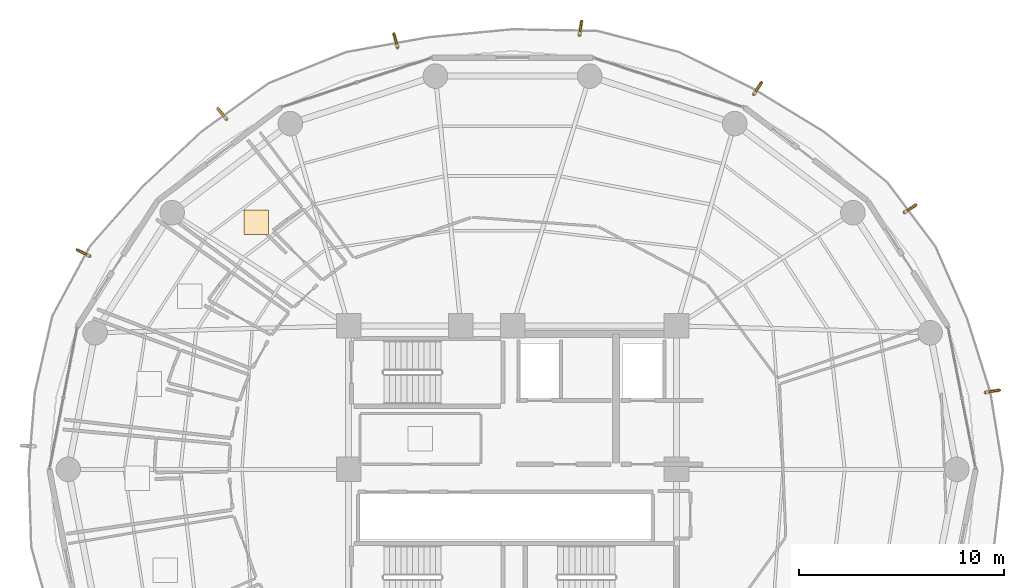
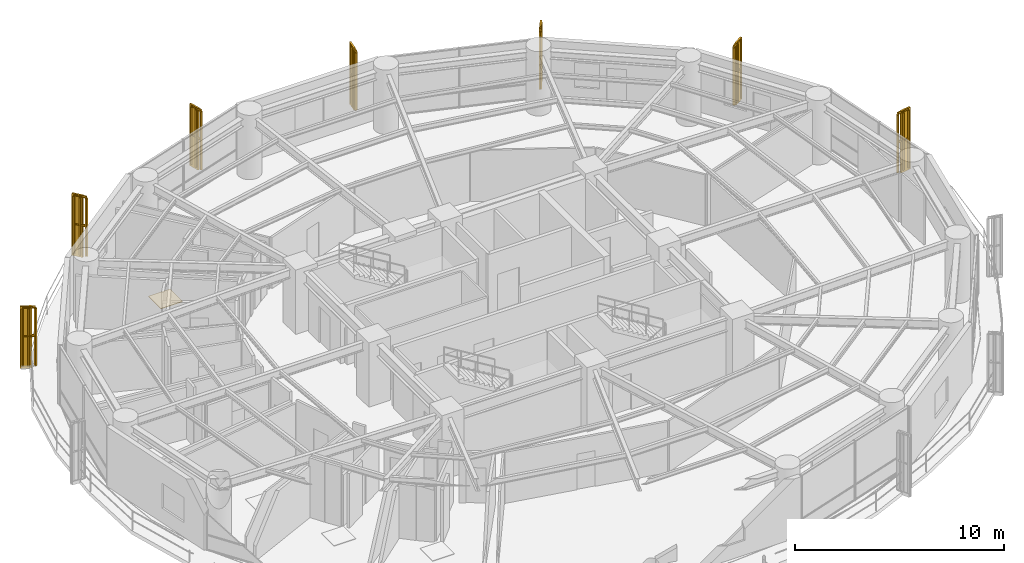
# One storey, part 27 of 27: 7 railings, 7 shading devices, 1 covering.
"""IFC4 building model written with IfcOpenShell, lengths in metres."""

from ifc_helpers import new_model, si_unit, direction, frame, origin, origin_2d, place, context, subcontext, project, spatial, polyline, rectangle, outline, extrude, source, transform, mapped, material, layer, layer_set, type_object, element, save


model = new_model("IFC4")

# Units and contexts
model_context = context("Model", 3, precision=1e-05, world=origin(), true_north=direction((0.0, 1.0)))
body_context = subcontext(model_context, "Body", "Model", "MODEL_VIEW")
ifc_project = project(units=[si_unit("LENGTHUNIT", "METRE"), si_unit("AREAUNIT", "SQUARE_METRE"), si_unit("VOLUMEUNIT", "CUBIC_METRE"), si_unit("PLANEANGLEUNIT", "RADIAN"), si_unit("MASSUNIT", "GRAM", prefix="KILO")], contexts=[model_context])

# Site, building, storey
site_placement = place(None, origin())
site = spatial("IfcSite", under=ifc_project, at=site_placement, CompositionType="ELEMENT")
building_placement = place(site_placement, origin())
building = spatial("IfcBuilding", under=site, at=building_placement, Name="Kelanora Arch Commons", CompositionType="ELEMENT")
storey_placement = place(building_placement, frame((0.0, 0.0, 173.10009765625)))
storey = spatial("IfcBuildingStorey", under=building, at=storey_placement, Name="L44", CompositionType="ELEMENT", Elevation=173.10009765625)

# Railings
ifc_material_1 = material(Name="Anodised bronze vertical shading fin rib assembly")
railing_type = type_object("IfcRailingType", Name="RAIL-FIN-BRZ", PredefinedType="BALUSTRADE", material=ifc_material_1)
railing_1_placement = place(storey_placement, frame((97.078857421875, 61.75537109375, -0.02001953125)))
element("IfcRailing", 1, at=railing_1_placement, inside=storey, type_object=railing_type, Name="Sweeping Bronze Vertical Fin Blade L44-01", PredefinedType="BALUSTRADE", context=body_context, shape_type="SweptSolid", body=[
    extrude(outline(polyline([(0.06982421875, 0.0), (0.034912109375, 0.060546875), (-0.034912109375, 0.060546875), (-0.06982421875, 0.0), (-0.034912109375, -0.060546875), (0.034912109375, -0.060546875), (0.06982421875, 0.0)])), frame((0.0, 0.0, 3.419921875), z_axis=(0.987025857882, 0.160561377274, 0.0), x_axis=(-0.160561377274, 0.987025857882, 0.0)), (0.0, 0.0, 1.0), 0.62939453125),
    extrude(outline(polyline([(0.06982421875, 0.0), (0.034912109375, 0.060546875), (-0.034912109375, 0.060546875), (-0.06982421875, 0.0), (-0.034912109375, -0.060546875), (0.034912109375, -0.060546875), (0.06982421875, 0.0)])), frame((0.0, 0.0, 1.7451171875), z_axis=(0.987025857882, 0.160561377274, 0.0), x_axis=(-0.160561377274, 0.987025857882, 0.0)), (0.0, 0.0, 1.0), 0.62939453125),
    extrude(outline(polyline([(0.080078125, 0.0), (0.0400390625, 0.0693359375), (-0.0400390625, 0.0693359375), (-0.080078125, 0.0), (-0.0400390625, -0.0693359375), (0.0400390625, -0.0693359375), (0.080078125, 0.0)])), origin(), (0.0, 0.0, 1.0), 3.35009765625),
    extrude(outline(polyline([(0.080078125, 0.0), (0.0400390625, 0.0693359375), (-0.0400390625, 0.0693359375), (-0.080078125, 0.0), (-0.0400390625, -0.0693359375), (0.0400390625, -0.0693359375), (0.080078125, 0.0)])), frame((0.310546875, 0.050537109375, 0.0)), (0.0, 0.0, 1.0), 3.35009765625),
    extrude(outline(polyline([(0.080078125, 0.0), (0.0400390625, 0.0693359375), (-0.0400390625, 0.0693359375), (-0.080078125, 0.0), (-0.0400390625, -0.0693359375), (0.0400390625, -0.0693359375), (0.080078125, 0.0)])), frame((0.621337890625, 0.10107421875, 0.0)), (0.0, 0.0, 1.0), 3.35009765625),
])
railing_2_placement = place(storey_placement, frame((93.1142578125, 70.528076171875, -0.02001953125)))
element("IfcRailing", 2, at=railing_2_placement, inside=storey, type_object=railing_type, Name="Sweeping Bronze Vertical Fin Blade L44-02", PredefinedType="BALUSTRADE", context=body_context, shape_type="SweptSolid", body=[
    extrude(outline(polyline([(0.06982421875, 0.0), (0.034912109375, 0.060546875), (-0.034912109375, 0.060546875), (-0.06982421875, 0.0), (-0.034912109375, -0.060546875), (0.034912109375, -0.060546875), (0.06982421875, 0.0)])), frame((0.0, 0.0, 3.419921875), z_axis=(0.836320140777, 0.548241390384, 0.0), x_axis=(-0.548241390384, 0.836320140777, 0.0)), (0.0, 0.0, 1.0), 0.629638671875),
    extrude(outline(polyline([(0.06982421875, 0.0), (0.034912109375, 0.060546875), (-0.034912109375, 0.060546875), (-0.06982421875, 0.0), (-0.034912109375, -0.060546875), (0.034912109375, -0.060546875), (0.06982421875, 0.0)])), frame((0.0, 0.0, 1.7451171875), z_axis=(0.836320140777, 0.548241390384, 0.0), x_axis=(-0.548241390384, 0.836320140777, 0.0)), (0.0, 0.0, 1.0), 0.629638671875),
    extrude(outline(polyline([(0.080078125, 0.0), (0.0400390625, 0.0693359375), (-0.0400390625, 0.0693359375), (-0.080078125, 0.0), (-0.0400390625, -0.0693359375), (0.0400390625, -0.0693359375), (0.080078125, 0.0)])), origin(), (0.0, 0.0, 1.0), 3.35009765625),
    extrude(outline(polyline([(0.080078125, 0.0), (0.0400390625, 0.0693359375), (-0.0400390625, 0.0693359375), (-0.080078125, 0.0), (-0.0400390625, -0.0693359375), (0.0400390625, -0.0693359375), (0.080078125, 0.0)])), frame((0.26318359375, 0.172607421875, 0.0)), (0.0, 0.0, 1.0), 3.35009765625),
    extrude(outline(polyline([(0.080078125, 0.0), (0.0400390625, 0.0693359375), (-0.0400390625, 0.0693359375), (-0.080078125, 0.0), (-0.0400390625, -0.0693359375), (0.0400390625, -0.0693359375), (0.080078125, 0.0)])), frame((0.526611328125, 0.34521484375, 0.0)), (0.0, 0.0, 1.0), 3.35009765625),
])
railing_3_placement = place(storey_placement, frame((85.772705078125, 76.29736328125, -0.02001953125)))
element("IfcRailing", 3, at=railing_3_placement, inside=storey, type_object=railing_type, Name="Sweeping Bronze Vertical Fin Blade L44-03", PredefinedType="BALUSTRADE", context=body_context, shape_type="SweptSolid", body=[
    extrude(outline(polyline([(0.06982421875, 0.0), (0.034912109375, 0.060546875), (-0.034912109375, 0.060546875), (-0.06982421875, 0.0), (-0.034912109375, -0.060546875), (0.034912109375, -0.060546875), (0.06982421875, 0.0)])), frame((0.0, 0.0, 3.419921875), z_axis=(0.541384659361, 0.840775029724, 0.0), x_axis=(-0.840775029724, 0.541384659361, 0.0)), (0.0, 0.0, 1.0), 0.629638671875),
    extrude(outline(polyline([(0.06982421875, 0.0), (0.034912109375, 0.060546875), (-0.034912109375, 0.060546875), (-0.06982421875, 0.0), (-0.034912109375, -0.060546875), (0.034912109375, -0.060546875), (0.06982421875, 0.0)])), frame((0.0, 0.0, 1.7451171875), z_axis=(0.541384659361, 0.840775029724, 0.0), x_axis=(-0.840775029724, 0.541384659361, 0.0)), (0.0, 0.0, 1.0), 0.629638671875),
    extrude(outline(polyline([(0.080078125, 0.0), (0.0400390625, 0.0693359375), (-0.0400390625, 0.0693359375), (-0.080078125, 0.0), (-0.0400390625, -0.0693359375), (0.0400390625, -0.0693359375), (0.080078125, 0.0)])), origin(), (0.0, 0.0, 1.0), 3.35009765625),
    extrude(outline(polyline([(0.080078125, 0.0), (0.0400390625, 0.0693359375), (-0.0400390625, 0.0693359375), (-0.080078125, 0.0), (-0.0400390625, -0.0693359375), (0.0400390625, -0.0693359375), (0.080078125, 0.0)])), frame((0.17041015625, 0.2646484375, 0.0)), (0.0, 0.0, 1.0), 3.35009765625),
    extrude(outline(polyline([(0.080078125, 0.0), (0.0400390625, 0.0693359375), (-0.0400390625, 0.0693359375), (-0.080078125, 0.0), (-0.0400390625, -0.0693359375), (0.0400390625, -0.0693359375), (0.080078125, 0.0)])), frame((0.3408203125, 0.529296875, 0.0)), (0.0, 0.0, 1.0), 3.35009765625),
])
railing_4_placement = place(storey_placement, frame((77.2646484375, 79.19091796875, -0.02001953125)))
element("IfcRailing", 4, at=railing_4_placement, inside=storey, type_object=railing_type, Name="Sweeping Bronze Vertical Fin Blade L44-04", PredefinedType="BALUSTRADE", context=body_context, shape_type="SweptSolid", body=[
    extrude(outline(polyline([(0.06982421875, 0.0), (0.034912109375, 0.060546875), (-0.034912109375, 0.060546875), (-0.06982421875, 0.0), (-0.034912109375, -0.060546875), (0.034912109375, -0.060546875), (0.06982421875, 0.0)])), frame((0.0, 0.0, 3.419921875), z_axis=(0.15237766938, 0.988322339055, 0.0), x_axis=(-0.988322339055, 0.15237766938, 0.0)), (0.0, 0.0, 1.0), 0.629638671875),
    extrude(outline(polyline([(0.06982421875, 0.0), (0.034912109375, 0.060546875), (-0.034912109375, 0.060546875), (-0.06982421875, 0.0), (-0.034912109375, -0.060546875), (0.034912109375, -0.060546875), (0.06982421875, 0.0)])), frame((0.0, 0.0, 1.7451171875), z_axis=(0.15237766938, 0.988322339055, 0.0), x_axis=(-0.988322339055, 0.15237766938, 0.0)), (0.0, 0.0, 1.0), 0.629638671875),
    extrude(outline(polyline([(0.080078125, 0.0), (0.0400390625, 0.0693359375), (-0.0400390625, 0.0693359375), (-0.080078125, 0.0), (-0.0400390625, -0.0693359375), (0.0400390625, -0.0693359375), (0.080078125, 0.0)])), origin(), (0.0, 0.0, 1.0), 3.35009765625),
    extrude(outline(polyline([(0.080078125, 0.0), (0.0400390625, 0.0693359375), (-0.0400390625, 0.0693359375), (-0.080078125, 0.0), (-0.0400390625, -0.0693359375), (0.0400390625, -0.0693359375), (0.080078125, 0.0)])), frame((0.0478515625, 0.31103515625, 0.0)), (0.0, 0.0, 1.0), 3.35009765625),
    extrude(outline(polyline([(0.080078125, 0.0), (0.0400390625, 0.0693359375), (-0.0400390625, 0.0693359375), (-0.080078125, 0.0), (-0.0400390625, -0.0693359375), (0.0400390625, -0.0693359375), (0.080078125, 0.0)])), frame((0.095947265625, 0.622314453125, 0.0)), (0.0, 0.0, 1.0), 3.35009765625),
])
railing_5_placement = place(storey_placement, frame((68.390380859375, 78.58740234375, -0.02001953125)))
element("IfcRailing", 5, at=railing_5_placement, inside=storey, type_object=railing_type, Name="Sweeping Bronze Vertical Fin Blade L44-05", PredefinedType="BALUSTRADE", context=body_context, shape_type="SweptSolid", body=[
    extrude(outline(polyline([(0.06982421875, 0.0), (0.034912109375, 0.060546875), (-0.034912109375, 0.060546875), (-0.06982421875, 0.0), (-0.034912109375, -0.060546875), (0.034912109375, -0.060546875), (0.06982421875, 0.0)])), frame((0.0, 0.0, 3.419921875), z_axis=(-0.262920523135, 0.964817494926, 0.0), x_axis=(-0.964817494926, -0.262920523135, 0.0)), (0.0, 0.0, 1.0), 0.629638671875),
    extrude(outline(polyline([(0.06982421875, 0.0), (0.034912109375, 0.060546875), (-0.034912109375, 0.060546875), (-0.06982421875, 0.0), (-0.034912109375, -0.060546875), (0.034912109375, -0.060546875), (0.06982421875, 0.0)])), frame((0.0, 0.0, 1.7451171875), z_axis=(-0.262920523135, 0.964817494926, 0.0), x_axis=(-0.964817494926, -0.262920523135, 0.0)), (0.0, 0.0, 1.0), 0.629638671875),
    extrude(outline(polyline([(0.080078125, 0.0), (0.0400390625, 0.0693359375), (-0.0400390625, 0.0693359375), (-0.080078125, 0.0), (-0.0400390625, -0.0693359375), (0.0400390625, -0.0693359375), (0.080078125, 0.0)])), origin(), (0.0, 0.0, 1.0), 3.35009765625),
    extrude(outline(polyline([(0.080078125, 0.0), (0.0400390625, 0.0693359375), (-0.0400390625, 0.0693359375), (-0.080078125, 0.0), (-0.0400390625, -0.0693359375), (0.0400390625, -0.0693359375), (0.080078125, 0.0)])), frame((-0.082763671875, 0.3037109375, 0.0)), (0.0, 0.0, 1.0), 3.35009765625),
    extrude(outline(polyline([(0.080078125, 0.0), (0.0400390625, 0.0693359375), (-0.0400390625, 0.0693359375), (-0.080078125, 0.0), (-0.0400390625, -0.0693359375), (0.0400390625, -0.0693359375), (0.080078125, 0.0)])), frame((-0.16552734375, 0.607421875, 0.0)), (0.0, 0.0, 1.0), 3.35009765625),
])
railing_6_placement = place(storey_placement, frame((60.0419921875, 75.08837890625, -0.02001953125)))
element("IfcRailing", 6, at=railing_6_placement, inside=storey, type_object=railing_type, Name="Sweeping Bronze Vertical Fin Blade L44-06", PredefinedType="BALUSTRADE", context=body_context, shape_type="SweptSolid", body=[
    extrude(outline(polyline([(0.06982421875, 0.0), (0.034912109375, 0.060546875), (-0.034912109375, 0.060546875), (-0.06982421875, 0.0), (-0.034912109375, -0.060546875), (0.034912109375, -0.060546875), (0.06982421875, 0.0)])), frame((0.0, 0.0, 3.419921875), z_axis=(-0.632371741514, 0.774665076361, 0.0), x_axis=(-0.774665076361, -0.632371741514, 0.0)), (0.0, 0.0, 1.0), 0.629638671875),
    extrude(outline(polyline([(0.06982421875, 0.0), (0.034912109375, 0.060546875), (-0.034912109375, 0.060546875), (-0.06982421875, 0.0), (-0.034912109375, -0.060546875), (0.034912109375, -0.060546875), (0.06982421875, 0.0)])), frame((0.0, 0.0, 1.7451171875), z_axis=(-0.632371741514, 0.774665076361, 0.0), x_axis=(-0.774665076361, -0.632371741514, 0.0)), (0.0, 0.0, 1.0), 0.629638671875),
    extrude(outline(polyline([(0.080078125, 0.0), (0.0400390625, 0.0693359375), (-0.0400390625, 0.0693359375), (-0.080078125, 0.0), (-0.0400390625, -0.0693359375), (0.0400390625, -0.0693359375), (0.080078125, 0.0)])), origin(), (0.0, 0.0, 1.0), 3.35009765625),
    extrude(outline(polyline([(0.080078125, 0.0), (0.0400390625, 0.0693359375), (-0.0400390625, 0.0693359375), (-0.080078125, 0.0), (-0.0400390625, -0.0693359375), (0.0400390625, -0.0693359375), (0.080078125, 0.0)])), frame((-0.19921875, 0.243896484375, 0.0)), (0.0, 0.0, 1.0), 3.35009765625),
    extrude(outline(polyline([(0.080078125, 0.0), (0.0400390625, 0.0693359375), (-0.0400390625, 0.0693359375), (-0.080078125, 0.0), (-0.0400390625, -0.0693359375), (0.0400390625, -0.0693359375), (0.080078125, 0.0)])), frame((-0.398193359375, 0.48779296875, 0.0)), (0.0, 0.0, 1.0), 3.35009765625),
])
railing_7_placement = place(storey_placement, frame((53.36865234375, 68.402587890625, -0.02001953125)))
element("IfcRailing", 7, at=railing_7_placement, inside=storey, type_object=railing_type, Name="Sweeping Bronze Vertical Fin Blade L44-07", PredefinedType="BALUSTRADE", context=body_context, shape_type="SweptSolid", body=[
    extrude(outline(polyline([(0.06982421875, 0.0), (0.034912109375, 0.060546875), (-0.034912109375, 0.060546875), (-0.06982421875, 0.0), (-0.034912109375, -0.060546875), (0.034912109375, -0.060546875), (0.06982421875, 0.0)])), frame((0.0, 0.0, 3.419921875), z_axis=(-0.892793069082, 0.450467019658, 0.0), x_axis=(-0.450467019658, -0.892793069082, 0.0)), (0.0, 0.0, 1.0), 0.6298828125),
    extrude(outline(polyline([(0.06982421875, 0.0), (0.034912109375, 0.060546875), (-0.034912109375, 0.060546875), (-0.06982421875, 0.0), (-0.034912109375, -0.060546875), (0.034912109375, -0.060546875), (0.06982421875, 0.0)])), frame((0.0, 0.0, 1.7451171875), z_axis=(-0.892793069082, 0.450467019658, 0.0), x_axis=(-0.450467019658, -0.892793069082, 0.0)), (0.0, 0.0, 1.0), 0.6298828125),
    extrude(outline(polyline([(0.080078125, 0.0), (0.0400390625, 0.0693359375), (-0.0400390625, 0.0693359375), (-0.080078125, 0.0), (-0.0400390625, -0.0693359375), (0.0400390625, -0.0693359375), (0.080078125, 0.0)])), origin(), (0.0, 0.0, 1.0), 3.35009765625),
    extrude(outline(polyline([(0.080078125, 0.0), (0.0400390625, 0.0693359375), (-0.0400390625, 0.0693359375), (-0.080078125, 0.0), (-0.0400390625, -0.0693359375), (0.0400390625, -0.0693359375), (0.080078125, 0.0)])), frame((-0.28125, 0.141845703125, 0.0)), (0.0, 0.0, 1.0), 3.35009765625),
    extrude(outline(polyline([(0.080078125, 0.0), (0.0400390625, 0.0693359375), (-0.0400390625, 0.0693359375), (-0.080078125, 0.0), (-0.0400390625, -0.0693359375), (0.0400390625, -0.0693359375), (0.080078125, 0.0)])), frame((-0.562255859375, 0.28369140625, 0.0)), (0.0, 0.0, 1.0), 3.35009765625),
])

# Shading devices
ifc_material_2 = material(Name="Terracotta ceramic-clad extruded aluminium fin", Category="masonry")
shading_device_type = type_object("IfcShadingDeviceType", Name="SHD-FIN-WAIST", PredefinedType="USERDEFINED", material=ifc_material_2)
shared_shape_1 = source(origin(), body_context, "Body", "SweptSolid", [
    extrude(rectangle(XDim=0.56005859375, YDim=0.090087890625, at=origin_2d()), origin(), (0.0, 0.0, 1.0), 3.610107421875),
])
for number, where, z_axis, x_axis, name in (
    (8, (97.52783203125, 61.828369140625, -0.14013671875), (0.0, 0.0, 1.0), (0.987024406397, 0.160570299793, 0.0), "Sweeping Terracotta Fin L44-01"),
    (9, (93.49462890625, 70.77734375, -0.14013671875), (0.0, 0.0, 1.0), (0.836381838331, 0.548147261701, 0.0), "Sweeping Terracotta Fin L44-02"),
    (10, (86.018798828125, 76.6796875, -0.14013671875), (0.0, 0.0, 1.0), (0.541121252127, 0.840944582298, 0.0), "Sweeping Terracotta Fin L44-03"),
    (11, (77.333984375, 79.640380859375, -0.14013671875), (0.0, 0.0, 1.0), (0.152295885498, 0.988334944875, 0.0), "Sweeping Terracotta Fin L44-04"),
    (12, (68.270751953125, 79.0263671875, -0.14013671875), (0.0, 0.0, 1.0), (-0.262862823299, 0.964833216741, 0.0), "Sweeping Terracotta Fin L44-05"),
    (13, (59.75439453125, 75.440673828125, -0.14013671875), (0.0, 0.0, 1.0), (-0.632570161913, 0.774503060199, 0.0), "Sweeping Terracotta Fin L44-06"),
    (14, (52.96240234375, 68.607421875, -0.14013671875), (0.0, 0.0, 1.0), (-0.892900372813, 0.450254288408, 0.0), "Sweeping Terracotta Fin L44-07"),
):
    element("IfcShadingDevice", number, at=place(storey_placement, frame(where, z_axis=z_axis, x_axis=x_axis)), inside=storey, type_object=shading_device_type, Name=name, ObjectType="FIN", PredefinedType="USERDEFINED", context=body_context, shape_type="MappedRepresentation", body=[
        mapped(shared_shape_1, transform((0.0, 0.0, 0.0), scale=1.0)),
    ])

# Covering
ifc_material_3 = material(Name="Polished local granite terrazzo flooring", Category="masonry")
ifc_layer = layer(ifc_material_3, 0.030029296875)
ifc_layer_set = layer_set([ifc_layer], Name="Polished local granite terrazzo flooring")
covering_type = type_object("IfcCoveringType", Name="COV-FLR-TER", PredefinedType="FLOORING", material=ifc_layer_set)
shared_shape_2 = source(origin(), body_context, "Body", "SweptSolid", [
    extrude(rectangle(XDim=1.199951171875, YDim=1.199951171875, at=origin_2d()), origin(), (0.0, 0.0, 1.0), 0.030029296875),
])
covering_placement = place(storey_placement, frame((61.488037109375, 70.04833984375, 0.0), z_axis=(0.0, 0.0, 1.0), x_axis=(1.0, 0.0, 0.0)))
element("IfcCovering", 15, at=covering_placement, inside=storey, type_object=covering_type, Name="Cluster Bedroom L44-01 Terrazzo Finish", PredefinedType="FLOORING", context=body_context, shape_type="MappedRepresentation", body=[
    mapped(shared_shape_2, transform((0.0, 0.0, 0.0), scale=1.0)),
])

save(model, "model.ifc")
